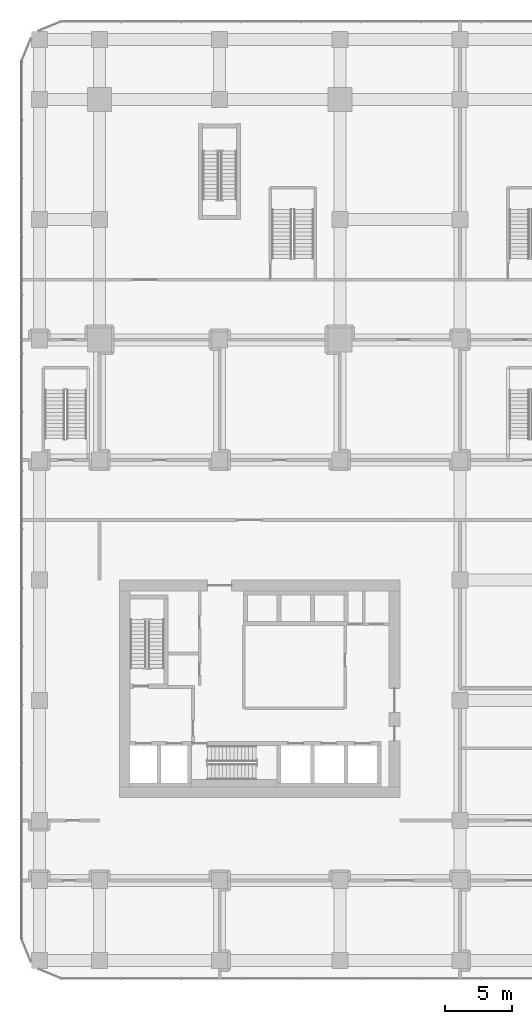
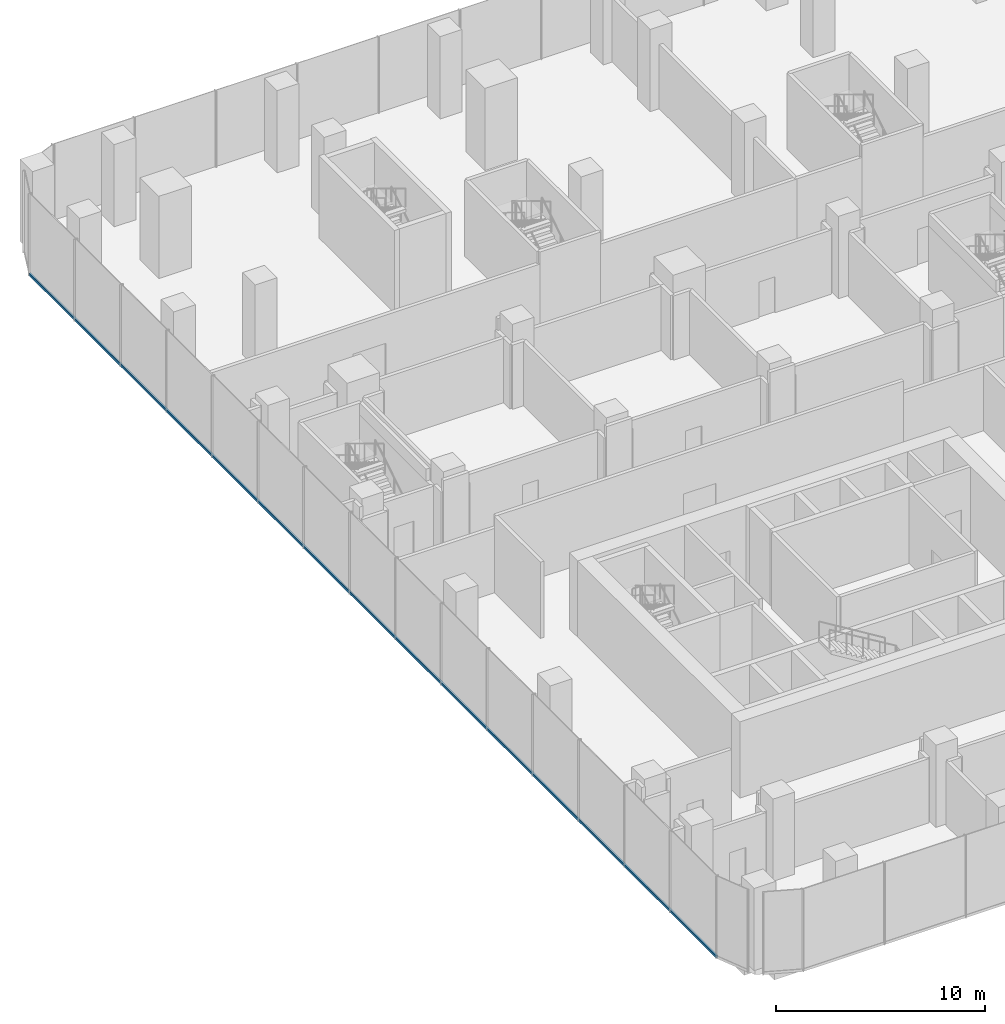
# One storey, part 9 of 42: 1 member, 1 element without a shape of its own.
"""IFC4 building model written with IfcOpenShell, lengths in metres."""

from ifc_helpers import new_model, si_unit, direction, frame, origin, origin_2d, place, context, subcontext, project, spatial, rectangle, extrude, material, layer, layer_set, material_profile, profile_set, type_object, element, aggregate, save


model = new_model("IFC4")

# Units and contexts
model_context = context("Model", 3, precision=1e-05, world=origin(), true_north=direction((0.0, 1.0)))
body_context = subcontext(model_context, "Body", "Model", "MODEL_VIEW")
ifc_project = project(units=[si_unit("LENGTHUNIT", "METRE"), si_unit("AREAUNIT", "SQUARE_METRE"), si_unit("VOLUMEUNIT", "CUBIC_METRE"), si_unit("PLANEANGLEUNIT", "RADIAN"), si_unit("MASSUNIT", "GRAM", prefix="KILO")], contexts=[model_context])

# Site, building, storey
site_placement = place(None, origin())
site = spatial("IfcSite", under=ifc_project, at=site_placement, CompositionType="ELEMENT")
building_placement = place(site_placement, origin())
building = spatial("IfcBuilding", under=site, at=building_placement, Name="Plateau Cross Towers", CompositionType="ELEMENT")
storey_placement = place(building_placement, frame((0.0, 0.0, 8.0)))
storey = spatial("IfcBuildingStorey", under=building, at=storey_placement, Name="L01", CompositionType="ELEMENT", Elevation=8.0)

# Curtain wall, member
ifc_material_1 = material(Name="Dark low-iron laminated glass", Category="glass")
ifc_layer = layer(ifc_material_1, 0.300048828125)
ifc_layer_set = layer_set([ifc_layer], Name="Dark low-iron laminated glass")
curtain_wall_type = type_object("IfcCurtainWallType", Name="Curtain wall structural silicone CW-C", PredefinedType="NOTDEFINED", material=ifc_layer_set)
curtain_wall_placement = place(storey_placement, origin())
curtain_wall = element("IfcCurtainWall", 1, at=curtain_wall_placement, inside=storey, type_object=curtain_wall_type, Name="ENV/P/L01/P-58_568", PredefinedType="NOTDEFINED")
ifc_material_2 = material(Name="Black anodised aluminium", Category="aluminium")
ifc_material_profile = material_profile(ifc_material_2, rectangle(XDim=0.10009765625, YDim=0.14990234375, at=origin_2d()), Name="TRANSOM 100x150")
ifc_profile_set = profile_set([ifc_material_profile], Name="Black anodised aluminium")
member_type = type_object("IfcMemberType", Name="Transom 100x150 structural silicone", PredefinedType="USERDEFINED", material=ifc_profile_set)
member_placement = place(storey_placement, frame((-5.85009765625, 56.85009765625, -0.27490234375), z_axis=(0.0, -1.0, 0.0), x_axis=(1.0, 0.0, 0.0)))
member = element("IfcMember", 2, at=member_placement, type_object=member_type, Name="CW-C transom", ObjectType="TRANSOM", PredefinedType="USERDEFINED", context=body_context, shape_type="SweptSolid", body=[
    extrude(rectangle(XDim=0.10009765625, YDim=0.14990234375, at=origin_2d()), origin(), (0.0, 0.0, 1.0), 65.7001953125),
])
aggregate(curtain_wall, [member])

save(model, "model.ifc")
